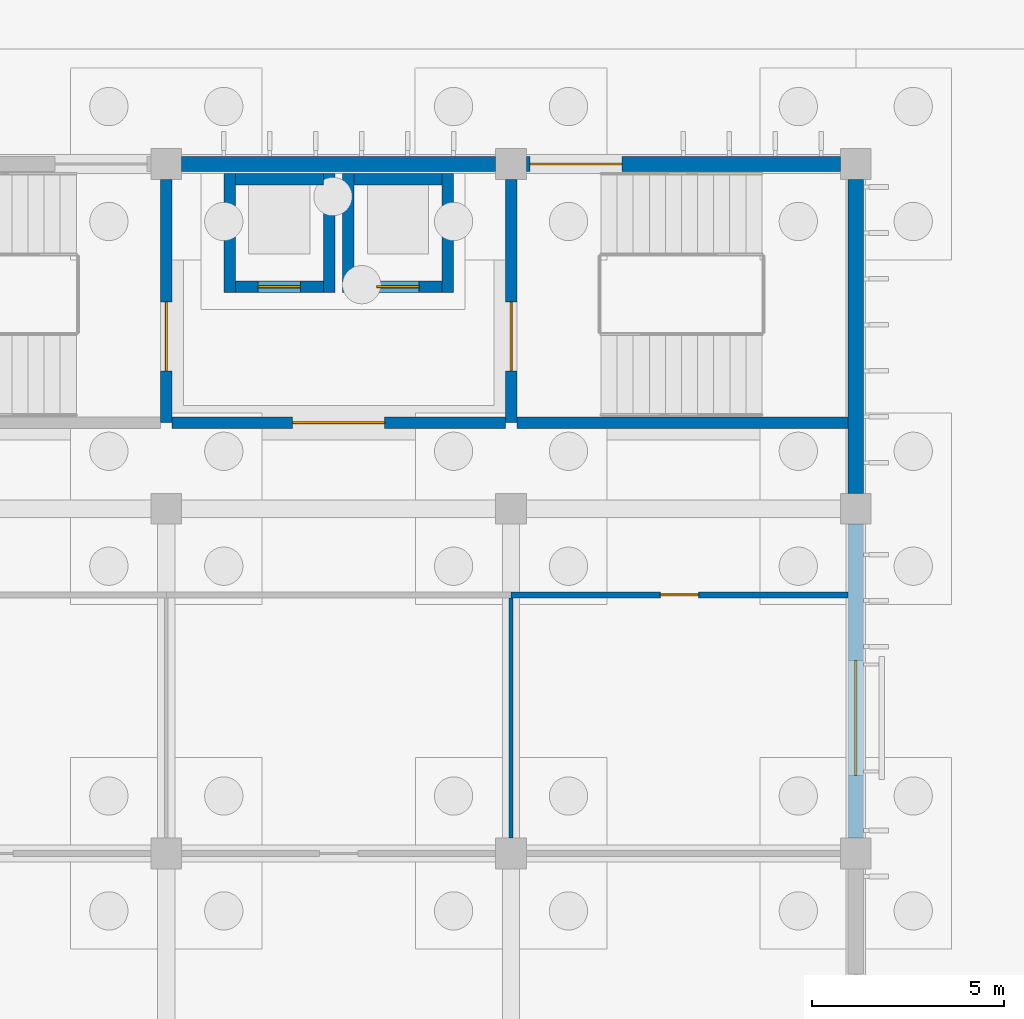
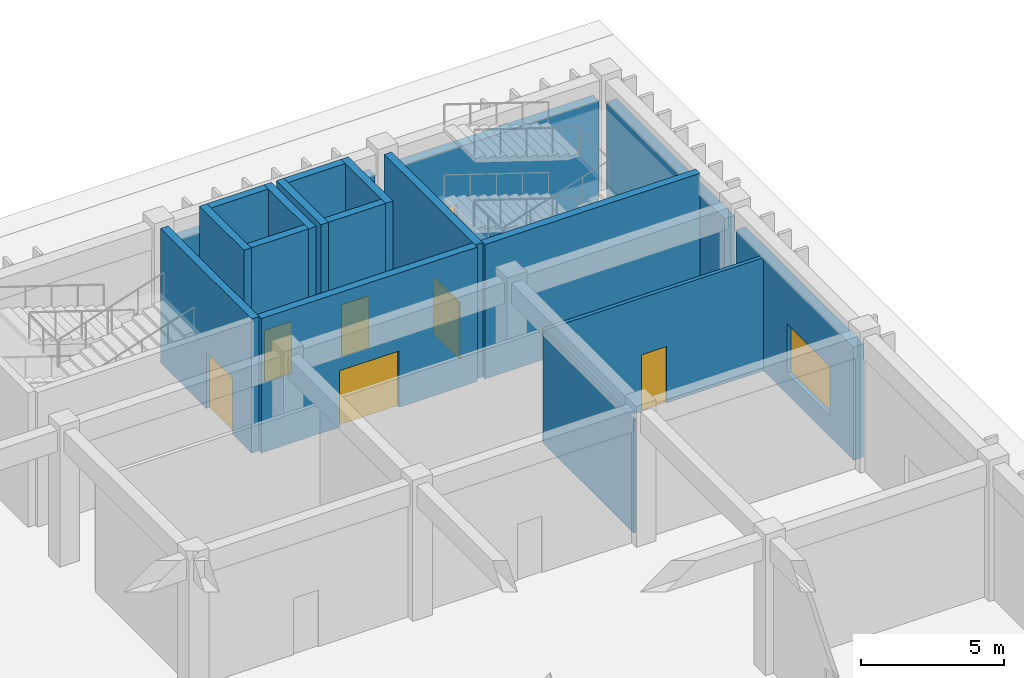
# One storey, part 107 of 198: 18 walls, 7 doors, 1 window, 8 openings.
"""IFC4 building model written with IfcOpenShell, lengths in metres."""

from ifc_helpers import new_model, si_unit, direction, frame, frame_2d, origin, place, context, subcontext, project, spatial, rectangle, extrude, material, layer, layer_set, type_object, element, fill, save


model = new_model("IFC4")

# Units and contexts
model_context = context("Model", 3, precision=1e-05, world=origin(), true_north=direction((0.0, 1.0)))
body_context = subcontext(model_context, "Body", "Model", "MODEL_VIEW")
ifc_project = project(units=[si_unit("LENGTHUNIT", "METRE"), si_unit("AREAUNIT", "SQUARE_METRE"), si_unit("VOLUMEUNIT", "CUBIC_METRE"), si_unit("PLANEANGLEUNIT", "RADIAN"), si_unit("MASSUNIT", "GRAM", prefix="KILO")], contexts=[model_context])

# Site, building, storey
site_placement = place(None, origin())
site = spatial("IfcSite", under=ifc_project, at=site_placement, CompositionType="ELEMENT")
building_placement = place(site_placement, origin())
building = spatial("IfcBuilding", under=site, at=building_placement, Name="Opaline Strait Convention Centre", CompositionType="ELEMENT")
storey_placement = place(building_placement, origin())
storey = spatial("IfcBuildingStorey", under=building, at=storey_placement, Name="L00", CompositionType="ELEMENT", Elevation=0.0)

# Wall, opening, door
ifc_material_1 = material(Name="Gypsum board")
ifc_layer_1 = layer(ifc_material_1, 0.032470703125)
ifc_material_2 = material(Name="Steel stud and mineral wool", Category="steel")
ifc_layer_2 = layer(ifc_material_2, 0.0849609375)
ifc_layer_3 = layer(ifc_material_1, 0.032470703125)
ifc_layer_set_1 = layer_set([ifc_layer_1, ifc_layer_2, ifc_layer_3], Name="Gypsum board, Steel stud and mineral wool, Gypsum board")
wall_type_1 = type_object("IfcWallType", Name="Corridor partition 150 EI60", PredefinedType="PARTITIONING", material=ifc_layer_set_1)
wall_1_placement = place(storey_placement, frame((351.0, 168.75, 0.0), z_axis=(0.0, 0.0, 1.0), x_axis=(1.0, 0.0, 0.0)))
wall_1 = element("IfcWall", 1, at=wall_1_placement, inside=storey, type_object=wall_type_1, Name="MPW1 partition Information Desk 0.29 N", PredefinedType="PARTITIONING", context=body_context, shape_type="SweptSolid", body=[
    extrude(rectangle(XDim=8.800048828125, YDim=0.14990234375, at=frame_2d((4.39990234375, 0.0))), origin(), (0.0, 0.0, 1.0), 4.820068359375),
])
opening_1_placement = place(wall_1_placement, frame((3.900146484375, 0.0, 0.0)))
opening_1 = element("IfcOpeningElement", 2, at=opening_1_placement, cuts=wall_1, Name="Opening M0-060", PredefinedType="OPENING", context=body_context, shape_type="SweptSolid", body=[
    extrude(rectangle(XDim=1.0, YDim=2.39990234375, at=frame_2d((0.5, 1.199951171875))), frame((0.0, 0.0849609375, 0.0), z_axis=(0.0, -1.0, 0.0), x_axis=(1.0, 0.0, 0.0)), (0.0, 0.0, 1.0), 0.169921875),
])
ifc_material_3 = material(Name="Solid-core timber leaf, steel frame door set", Category="steel")
door_type_1 = type_object("IfcDoorType", Name="Meeting room door FD30 1000 x 2400", OperationType="SINGLE_SWING_LEFT", PredefinedType="DOOR", material=ifc_material_3)
door_1_placement = place(opening_1_placement, origin())
door_1 = element("IfcDoor", 3, at=door_1_placement, inside=storey, type_object=door_type_1, Name="Door Information Desk 0.29", ObjectType="MD8", OperationType="SINGLE_SWING_RIGHT", OverallHeight=2.39990234375, OverallWidth=1.0, PredefinedType="DOOR", context=body_context, shape_type="SweptSolid", body=[
    extrude(rectangle(XDim=1.0, YDim=2.39990234375, at=frame_2d((0.5, 1.199951171875))), frame((0.0, 0.02490234375, 0.0), z_axis=(0.0, -1.0, 0.0), x_axis=(1.0, 0.0, 0.0)), (0.0, 0.0, 1.0), 0.050048828125),
])
fill(opening_1, door_1)

# Wall
ifc_material_4 = material(Name="Concrete C40 precast", Category="concrete")
ifc_layer_4 = layer(ifc_material_4, 0.10009765625)
ifc_material_5 = material(Name="Mineral wool insulation")
ifc_layer_5 = layer(ifc_material_5, 0.14990234375)
ifc_layer_6 = layer(ifc_material_4, 0.14990234375)
ifc_layer_set_2 = layer_set([ifc_layer_4, ifc_layer_5, ifc_layer_6], Name="Concrete C40 precast, Mineral wool insulation, Concrete C40 precast")
wall_type_2 = type_object("IfcWallType", Name="External wall 400 insulated precast EI60", PredefinedType="STANDARD", material=ifc_layer_set_2)
wall_2_placement = place(storey_placement, frame((342.39990234375, 180.0, 0.0), z_axis=(0.0, 0.0, 1.0), x_axis=(1.0, 0.0, 0.0)))
element("IfcWall", 4, at=wall_2_placement, inside=storey, type_object=wall_type_2, Name="External wall N L00 39/W", PredefinedType="STANDARD", context=body_context, shape_type="SweptSolid", body=[
    extrude(rectangle(XDim=8.2001953125, YDim=0.39990234375, at=frame_2d((4.10009765625, 0.0))), origin(), (0.0, 0.0, 1.0), 4.820068359375),
])

# Wall, opening, door
wall_3_placement = place(storey_placement, frame((351.39990234375, 180.0, 0.0), z_axis=(0.0, 0.0, 1.0), x_axis=(1.0, 0.0, 0.0)))
wall_3 = element("IfcWall", 5, at=wall_3_placement, inside=storey, type_object=wall_type_2, Name="External wall N L00 40/W", PredefinedType="STANDARD", context=body_context, shape_type="SweptSolid", body=[
    extrude(rectangle(XDim=8.2001953125, YDim=0.39990234375, at=frame_2d((4.10009765625, 0.0))), origin(), (0.0, 0.0, 1.0), 4.820068359375),
])
opening_2_placement = place(wall_3_placement, frame((0.10009765625, 0.0, 0.0)))
opening_2 = element("IfcOpeningElement", 6, at=opening_2_placement, cuts=wall_3, Name="Opening M0-011", PredefinedType="OPENING", context=body_context, shape_type="SweptSolid", body=[
    extrude(rectangle(XDim=2.39990234375, YDim=2.39990234375, at=frame_2d((1.199951171875, 1.199951171875))), frame((0.0, 0.2099609375, 0.0), z_axis=(0.0, -1.0, 0.0), x_axis=(1.0, 0.0, 0.0)), (0.0, 0.0, 1.0), 0.419921875),
])
ifc_material_6 = material(Name="Aluminium framed glazed door", Category="aluminium")
door_type_2 = type_object("IfcDoorType", Name="Exit double door glazed 2400 x 2400", OperationType="DOUBLE_DOOR_SINGLE_SWING", PredefinedType="DOOR", material=ifc_material_6)
door_2_placement = place(opening_2_placement, origin())
door_2 = element("IfcDoor", 7, at=door_2_placement, inside=storey, type_object=door_type_2, Name="Stair exit door Escape Stair S7", ObjectType="MD1", OperationType="DOUBLE_DOOR_SINGLE_SWING", OverallHeight=2.39990234375, OverallWidth=2.39990234375, PredefinedType="DOOR", context=body_context, shape_type="SweptSolid", body=[
    extrude(rectangle(XDim=2.39990234375, YDim=2.39990234375, at=frame_2d((1.199951171875, 1.199951171875))), frame((0.0, 0.02490234375, 0.0), z_axis=(0.0, -1.0, 0.0), x_axis=(1.0, 0.0, 0.0)), (0.0, 0.0, 1.0), 0.050048828125),
])
fill(opening_2, door_2)

# Wall, opening, window
wall_4_placement = place(storey_placement, frame((360.0, 162.39990234375, 0.0), z_axis=(0.0, 0.0, 1.0), x_axis=(0.0, 1.0, 0.0)))
wall_4 = element("IfcWall", 8, at=wall_4_placement, inside=storey, type_object=wall_type_2, Name="External wall E L00 41/U", PredefinedType="STANDARD", context=body_context, shape_type="SweptSolid", body=[
    extrude(rectangle(XDim=8.2001953125, YDim=0.39990234375, at=frame_2d((4.10009765625, 0.0))), origin(), (0.0, 0.0, 1.0), 4.820068359375),
])
opening_3_placement = place(wall_4_placement, frame((1.6376953125, 0.0, 0.89990234375)))
opening_3 = element("IfcOpeningElement", 9, at=opening_3_placement, cuts=wall_4, Name="Opening MW2", PredefinedType="OPENING", context=body_context, shape_type="SweptSolid", body=[
    extrude(rectangle(XDim=3.0, YDim=2.10009765625, at=frame_2d((1.5, 1.050048828125))), frame((0.0, 0.2099609375, 0.0), z_axis=(0.0, -1.0, 0.0), x_axis=(1.0, 0.0, 0.0)), (0.0, 0.0, 1.0), 0.419921875),
])
ifc_material_7 = material(Name="Aluminium framed double glazing", Category="aluminium")
window_type = type_object("IfcWindowType", Name="Window 3000 x 2100", PartitioningType="TRIPLE_PANEL_VERTICAL", PredefinedType="WINDOW", material=ifc_material_7)
window_placement = place(opening_3_placement, origin())
window = element("IfcWindow", 10, at=window_placement, inside=storey, type_object=window_type, Name="Window Information Desk 0.29 E", OverallHeight=2.10009765625, OverallWidth=3.0, PartitioningType="TRIPLE_PANEL_VERTICAL", PredefinedType="WINDOW", context=body_context, shape_type="SweptSolid", body=[
    extrude(rectangle(XDim=3.0, YDim=2.10009765625, at=frame_2d((1.5, 1.050048828125))), frame((0.0, 0.030029296875, 0.0), z_axis=(0.0, -1.0, 0.0), x_axis=(1.0, 0.0, 0.0)), (0.0, 0.0, 1.0), 0.06005859375),
])
fill(opening_3, window)

# Wall
wall_5_placement = place(storey_placement, frame((360.0, 171.39990234375, 0.0), z_axis=(0.0, 0.0, 1.0), x_axis=(0.0, 1.0, 0.0)))
element("IfcWall", 11, at=wall_5_placement, inside=storey, type_object=wall_type_2, Name="External wall E L00 41/V", PredefinedType="STANDARD", context=body_context, shape_type="SweptSolid", body=[
    extrude(rectangle(XDim=8.2001953125, YDim=0.39990234375, at=frame_2d((4.10009765625, 0.0))), origin(), (0.0, 0.0, 1.0), 4.820068359375),
])

# Wall, opening, door
ifc_material_8 = material(Name="Concrete C40", Category="concrete")
ifc_layer_7 = layer(ifc_material_8, 0.300048828125)
ifc_layer_set_3 = layer_set([ifc_layer_7], Name="Concrete C40")
wall_type_3 = type_object("IfcWallType", Name="RC core wall 300 C40", PredefinedType="SHEAR", material=ifc_layer_set_3)
wall_6_placement = place(storey_placement, frame((351.0, 173.25, 0.0), z_axis=(0.0, 0.0, 1.0), x_axis=(0.0, 1.0, 0.0)))
wall_6 = element("IfcWall", 12, at=wall_6_placement, inside=storey, type_object=wall_type_3, Name="Core wall NE-L00", PredefinedType="SHEAR", context=body_context, shape_type="SweptSolid", body=[
    extrude(rectangle(XDim=6.35009765625, YDim=0.300048828125, at=frame_2d((3.175048828125, 0.0))), origin(), (0.0, 0.0, 1.0), 5.719970703125),
])
opening_4_placement = place(wall_6_placement, frame((1.35009765625, 0.0, 0.0)))
opening_4 = element("IfcOpeningElement", 13, at=opening_4_placement, cuts=wall_6, Name="Opening M0-033", PredefinedType="OPENING", context=body_context, shape_type="SweptSolid", body=[
    extrude(rectangle(XDim=1.800048828125, YDim=2.39990234375, at=frame_2d((0.89990234375, 1.199951171875))), frame((0.0, 0.159912109375, 0.0), z_axis=(0.0, -1.0, 0.0), x_axis=(1.0, 0.0, 0.0)), (0.0, 0.0, 1.0), 0.320068359375),
])
ifc_material_9 = material(Name="Steel Q235B", Category="steel")
door_type_3 = type_object("IfcDoorType", Name="Stair door FD60 1800 x 2400", OperationType="DOUBLE_DOOR_SINGLE_SWING", PredefinedType="DOOR", material=ifc_material_9)
door_3_placement = place(opening_4_placement, origin())
door_3 = element("IfcDoor", 14, at=door_3_placement, inside=storey, type_object=door_type_3, Name="Escape stair S7 door L00", ObjectType="MD4", OperationType="DOUBLE_DOOR_SINGLE_SWING", OverallHeight=2.39990234375, OverallWidth=1.800048828125, PredefinedType="DOOR", context=body_context, shape_type="SweptSolid", body=[
    extrude(rectangle(XDim=1.800048828125, YDim=2.39990234375, at=frame_2d((0.89990234375, 1.199951171875))), frame((0.0, 0.02490234375, 0.0), z_axis=(0.0, -1.0, 0.0), x_axis=(1.0, 0.0, 0.0)), (0.0, 0.0, 1.0), 0.050048828125),
])
fill(opening_4, door_3)

wall_7_placement = place(storey_placement, frame((342.0, 173.25, 0.0), z_axis=(0.0, 0.0, 1.0), x_axis=(0.0, 1.0, 0.0)))
wall_7 = element("IfcWall", 15, at=wall_7_placement, inside=storey, type_object=wall_type_3, Name="Core wall NE-L00", PredefinedType="SHEAR", context=body_context, shape_type="SweptSolid", body=[
    extrude(rectangle(XDim=6.35009765625, YDim=0.300048828125, at=frame_2d((3.175048828125, 0.0))), origin(), (0.0, 0.0, 1.0), 5.719970703125),
])
opening_5_placement = place(wall_7_placement, frame((1.35009765625, 0.0, 0.0)))
opening_5 = element("IfcOpeningElement", 16, at=opening_5_placement, cuts=wall_7, Name="Opening M0-034", PredefinedType="OPENING", context=body_context, shape_type="SweptSolid", body=[
    extrude(rectangle(XDim=1.800048828125, YDim=2.39990234375, at=frame_2d((0.89990234375, 1.199951171875))), frame((0.0, 0.159912109375, 0.0), z_axis=(0.0, -1.0, 0.0), x_axis=(1.0, 0.0, 0.0)), (0.0, 0.0, 1.0), 0.320068359375),
])
door_4_placement = place(opening_5_placement, frame((1.800048828125, 0.0, 0.0), z_axis=(0.0, 0.0, 1.0), x_axis=(-1.0, 0.0, 0.0)))
door_4 = element("IfcDoor", 17, at=door_4_placement, inside=storey, type_object=door_type_3, Name="Escape stair S8 door L00", ObjectType="MD4", OperationType="DOUBLE_DOOR_SINGLE_SWING", OverallHeight=2.39990234375, OverallWidth=1.800048828125, PredefinedType="DOOR", context=body_context, shape_type="SweptSolid", body=[
    extrude(rectangle(XDim=1.800048828125, YDim=2.39990234375, at=frame_2d((0.89990234375, 1.199951171875))), frame((0.0, 0.02490234375, 0.0), z_axis=(0.0, -1.0, 0.0), x_axis=(1.0, 0.0, 0.0)), (0.0, 0.0, 1.0), 0.050048828125),
])
fill(opening_5, door_4)

wall_8_placement = place(storey_placement, frame((342.14990234375, 173.25, 0.0), z_axis=(0.0, 0.0, 1.0), x_axis=(1.0, 0.0, 0.0)))
wall_8 = element("IfcWall", 18, at=wall_8_placement, inside=storey, type_object=wall_type_3, Name="Core wall NE-L00", PredefinedType="SHEAR", context=body_context, shape_type="SweptSolid", body=[
    extrude(rectangle(XDim=8.7001953125, YDim=0.300048828125, at=frame_2d((4.35009765625, 0.0))), origin(), (0.0, 0.0, 1.0), 5.719970703125),
])
opening_6_placement = place(wall_8_placement, frame((3.150146484375, 0.0, 0.0)))
opening_6 = element("IfcOpeningElement", 19, at=opening_6_placement, cuts=wall_8, Name="Opening M0-035", PredefinedType="OPENING", context=body_context, shape_type="SweptSolid", body=[
    extrude(rectangle(XDim=2.39990234375, YDim=2.39990234375, at=frame_2d((1.199951171875, 1.199951171875))), frame((0.0, 0.159912109375, 0.0), z_axis=(0.0, -1.0, 0.0), x_axis=(1.0, 0.0, 0.0)), (0.0, 0.0, 1.0), 0.320068359375),
])
door_type_4 = type_object("IfcDoorType", Name="Lift lobby double door FD60 2400 x 2400", OperationType="DOUBLE_DOOR_SINGLE_SWING", PredefinedType="DOOR", material=ifc_material_9)
door_5_placement = place(opening_6_placement, frame((2.39990234375, 0.0, 0.0), z_axis=(0.0, 0.0, 1.0), x_axis=(-1.0, 0.0, 0.0)))
door_5 = element("IfcDoor", 20, at=door_5_placement, inside=storey, type_object=door_type_4, Name="Lift lobby NE door L00", ObjectType="MD5", OperationType="DOUBLE_DOOR_SINGLE_SWING", OverallHeight=2.39990234375, OverallWidth=2.39990234375, PredefinedType="DOOR", context=body_context, shape_type="SweptSolid", body=[
    extrude(rectangle(XDim=2.39990234375, YDim=2.39990234375, at=frame_2d((1.199951171875, 1.199951171875))), frame((0.0, 0.02490234375, 0.0), z_axis=(0.0, -1.0, 0.0), x_axis=(1.0, 0.0, 0.0)), (0.0, 0.0, 1.0), 0.050048828125),
])
fill(opening_6, door_5)

# Walls
wall_9_placement = place(storey_placement, frame((351.14990234375, 173.25, 0.0), z_axis=(0.0, 0.0, 1.0), x_axis=(1.0, 0.0, 0.0)))
element("IfcWall", 21, at=wall_9_placement, inside=storey, type_object=wall_type_3, Name="Core wall NE-L00", PredefinedType="SHEAR", context=body_context, shape_type="SweptSolid", body=[
    extrude(rectangle(XDim=8.650146484375, YDim=0.300048828125, at=frame_2d((4.3251953125, 0.0))), origin(), (0.0, 0.0, 1.0), 5.719970703125),
])
ifc_layer_8 = layer(ifc_material_8, 0.300048828125)
ifc_layer_set_4 = layer_set([ifc_layer_8], Name="Concrete C40")
wall_type_4 = type_object("IfcWallType", Name="RC lift shaft wall 300 C40", PredefinedType="SHEAR", material=ifc_layer_set_4)
for number, where, z_axis, x_axis, name in (
    (22, (349.35009765625, 176.64990234375, -1.699951171875), (0.0, 0.0, 1.0), (0.0, 1.0, 0.0), "Lift shaft NE1 wall L00"),
    (23, (346.75, 176.64990234375, -1.699951171875), (0.0, 0.0, 1.0), (0.0, 1.0, 0.0), "Lift shaft NE1 wall L00"),
):
    element("IfcWall", number, at=place(storey_placement, frame(where, z_axis=z_axis, x_axis=x_axis)), inside=storey, type_object=wall_type_4, Name=name, PredefinedType="SHEAR", context=body_context, shape_type="SweptSolid", body=[
        extrude(rectangle(XDim=3.10009765625, YDim=0.300048828125, at=frame_2d((1.550048828125, 0.0))), origin(), (0.0, 0.0, 1.0), 7.699951171875),
    ])
wall_10_placement = place(storey_placement, frame((346.89990234375, 179.60009765625, -1.699951171875), z_axis=(0.0, 0.0, 1.0), x_axis=(1.0, 0.0, 0.0)))
element("IfcWall", 24, at=wall_10_placement, inside=storey, type_object=wall_type_4, Name="Lift shaft NE1 wall L00", PredefinedType="SHEAR", context=body_context, shape_type="SweptSolid", body=[
    extrude(rectangle(XDim=2.300048828125, YDim=0.300048828125, at=frame_2d((1.14990234375, 0.0))), origin(), (0.0, 0.0, 1.0), 7.699951171875),
])

# Wall, opening, door
wall_11_placement = place(storey_placement, frame((346.89990234375, 176.800048828125, -1.699951171875), z_axis=(0.0, 0.0, 1.0), x_axis=(1.0, 0.0, 0.0)))
wall_11 = element("IfcWall", 25, at=wall_11_placement, inside=storey, type_object=wall_type_4, Name="Lift shaft NE1 wall L00", PredefinedType="SHEAR", context=body_context, shape_type="SweptSolid", body=[
    extrude(rectangle(XDim=2.300048828125, YDim=0.300048828125, at=frame_2d((1.14990234375, 0.0))), origin(), (0.0, 0.0, 1.0), 7.699951171875),
])
opening_7_placement = place(wall_11_placement, frame((0.60009765625, 0.0, 1.699951171875)))
opening_7 = element("IfcOpeningElement", 26, at=opening_7_placement, cuts=wall_11, Name="Opening M0-036", PredefinedType="OPENING", context=body_context, shape_type="SweptSolid", body=[
    extrude(rectangle(XDim=1.10009765625, YDim=2.199951171875, at=frame_2d((0.550048828125, 1.10009765625))), frame((0.0, 0.159912109375, 0.0), z_axis=(0.0, -1.0, 0.0), x_axis=(1.0, 0.0, 0.0)), (0.0, 0.0, 1.0), 0.320068359375),
])
ifc_material_10 = material(Name="Stainless steel 304", Category="steel")
door_type_5 = type_object("IfcDoorType", Name="Lift landing door FD60 1100 x 2200", OperationType="SLIDING_TO_LEFT", PredefinedType="DOOR", material=ifc_material_10)
door_6_placement = place(opening_7_placement, origin())
door_6 = element("IfcDoor", 27, at=door_6_placement, inside=storey, type_object=door_type_5, Name="Lift landing door NE1 L00", ObjectType="MD6", OperationType="SLIDING_TO_LEFT", OverallHeight=2.199951171875, OverallWidth=1.10009765625, PredefinedType="DOOR", context=body_context, shape_type="SweptSolid", body=[
    extrude(rectangle(XDim=1.10009765625, YDim=2.199951171875, at=frame_2d((0.550048828125, 1.10009765625))), frame((0.0, 0.02490234375, 0.0), z_axis=(0.0, -1.0, 0.0), x_axis=(1.0, 0.0, 0.0)), (0.0, 0.0, 1.0), 0.050048828125),
])
fill(opening_7, door_6)

# Walls
for number, where, z_axis, x_axis, name in (
    (28, (346.25, 176.64990234375, -1.699951171875), (0.0, 0.0, 1.0), (0.0, 1.0, 0.0), "Lift shaft NE2 wall L00"),
    (29, (343.64990234375, 176.64990234375, -1.699951171875), (0.0, 0.0, 1.0), (0.0, 1.0, 0.0), "Lift shaft NE2 wall L00"),
):
    element("IfcWall", number, at=place(storey_placement, frame(where, z_axis=z_axis, x_axis=x_axis)), inside=storey, type_object=wall_type_4, Name=name, PredefinedType="SHEAR", context=body_context, shape_type="SweptSolid", body=[
        extrude(rectangle(XDim=3.10009765625, YDim=0.300048828125, at=frame_2d((1.550048828125, 0.0))), origin(), (0.0, 0.0, 1.0), 7.699951171875),
    ])
wall_12_placement = place(storey_placement, frame((343.800048828125, 179.60009765625, -1.699951171875), z_axis=(0.0, 0.0, 1.0), x_axis=(1.0, 0.0, 0.0)))
element("IfcWall", 30, at=wall_12_placement, inside=storey, type_object=wall_type_4, Name="Lift shaft NE2 wall L00", PredefinedType="SHEAR", context=body_context, shape_type="SweptSolid", body=[
    extrude(rectangle(XDim=2.300048828125, YDim=0.300048828125, at=frame_2d((1.14990234375, 0.0))), origin(), (0.0, 0.0, 1.0), 7.699951171875),
])

# Wall, opening, door
wall_13_placement = place(storey_placement, frame((343.800048828125, 176.800048828125, -1.699951171875), z_axis=(0.0, 0.0, 1.0), x_axis=(1.0, 0.0, 0.0)))
wall_13 = element("IfcWall", 31, at=wall_13_placement, inside=storey, type_object=wall_type_4, Name="Lift shaft NE2 wall L00", PredefinedType="SHEAR", context=body_context, shape_type="SweptSolid", body=[
    extrude(rectangle(XDim=2.300048828125, YDim=0.300048828125, at=frame_2d((1.14990234375, 0.0))), origin(), (0.0, 0.0, 1.0), 7.699951171875),
])
opening_8_placement = place(wall_13_placement, frame((0.599853515625, 0.0, 1.699951171875)))
opening_8 = element("IfcOpeningElement", 32, at=opening_8_placement, cuts=wall_13, Name="Opening M0-037", PredefinedType="OPENING", context=body_context, shape_type="SweptSolid", body=[
    extrude(rectangle(XDim=1.10009765625, YDim=2.199951171875, at=frame_2d((0.550048828125, 1.10009765625))), frame((0.0, 0.159912109375, 0.0), z_axis=(0.0, -1.0, 0.0), x_axis=(1.0, 0.0, 0.0)), (0.0, 0.0, 1.0), 0.320068359375),
])
door_7_placement = place(opening_8_placement, origin())
door_7 = element("IfcDoor", 33, at=door_7_placement, inside=storey, type_object=door_type_5, Name="Lift landing door NE2 L00", ObjectType="MD6", OperationType="SLIDING_TO_RIGHT", OverallHeight=2.199951171875, OverallWidth=1.10009765625, PredefinedType="DOOR", context=body_context, shape_type="SweptSolid", body=[
    extrude(rectangle(XDim=1.10009765625, YDim=2.199951171875, at=frame_2d((0.550048828125, 1.10009765625))), frame((0.0, 0.02490234375, 0.0), z_axis=(0.0, -1.0, 0.0), x_axis=(1.0, 0.0, 0.0)), (0.0, 0.0, 1.0), 0.050048828125),
])
fill(opening_8, door_7)

# Wall
ifc_layer_9 = layer(ifc_material_1, 0.012451171875)
ifc_layer_10 = layer(ifc_material_2, 0.074951171875)
ifc_layer_11 = layer(ifc_material_1, 0.012451171875)
ifc_layer_set_5 = layer_set([ifc_layer_9, ifc_layer_10, ifc_layer_11], Name="Gypsum board, Steel stud and mineral wool, Gypsum board")
wall_type_5 = type_object("IfcWallType", Name="Room partition 100 EI45", PredefinedType="PARTITIONING", material=ifc_layer_set_5)
wall_14_placement = place(storey_placement, frame((351.0, 162.39990234375, 0.0), z_axis=(0.0, 0.0, 1.0), x_axis=(0.0, 1.0, 0.0)))
element("IfcWall", 34, at=wall_14_placement, inside=storey, type_object=wall_type_5, Name="MPW2 partition Meeting Room 0.22 E", PredefinedType="PARTITIONING", context=body_context, shape_type="SweptSolid", body=[
    extrude(rectangle(XDim=6.275146484375, YDim=0.10009765625, at=frame_2d((3.1376953125, 0.0))), origin(), (0.0, 0.0, 1.0), 4.820068359375),
])

save(model, "model.ifc")
